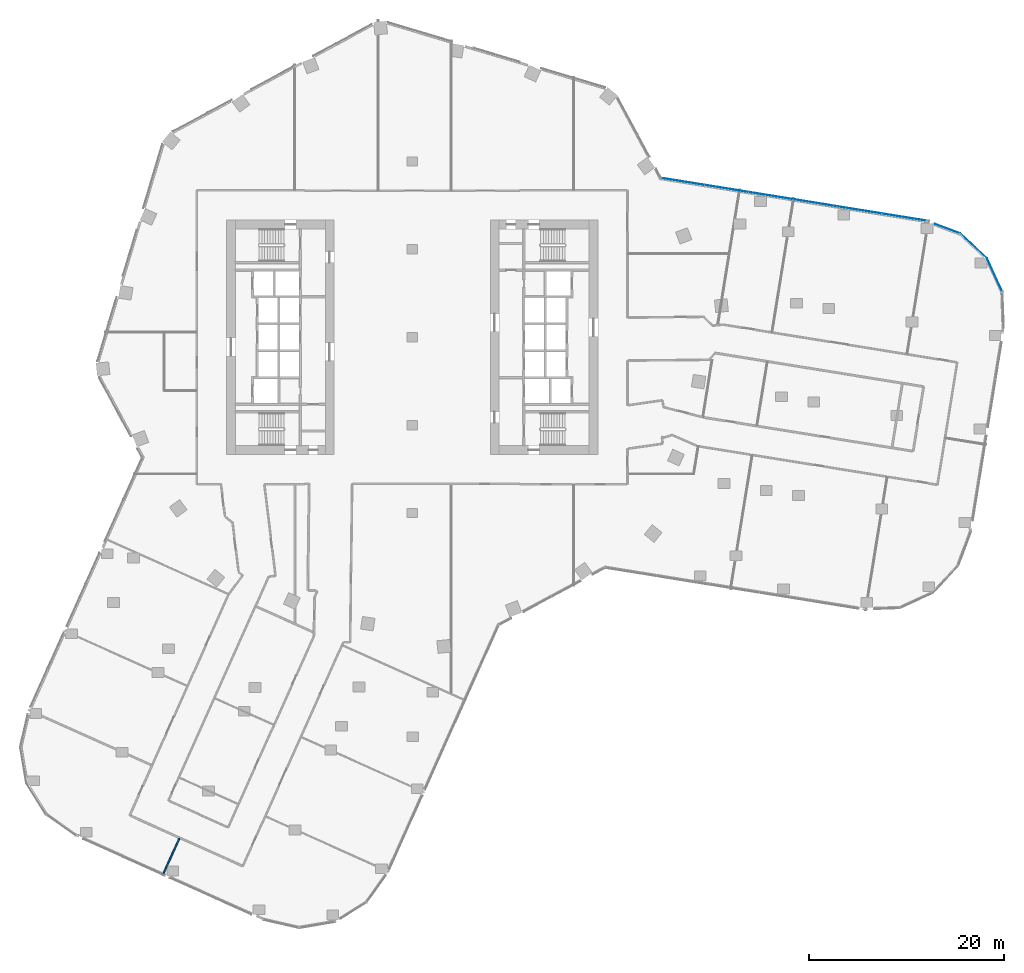
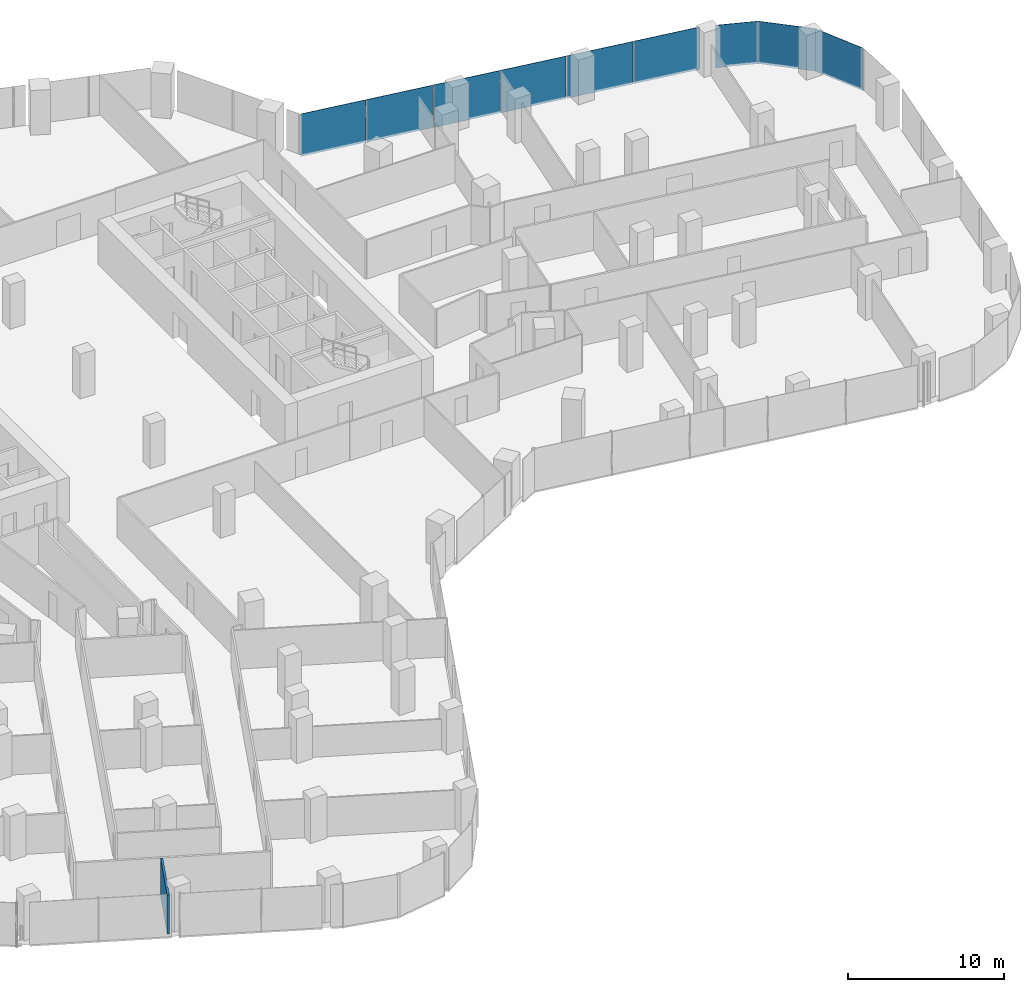
# One storey, part 24 of 34: 9 plates, 1 wall, 4 elements without a shape of their own.
"""IFC4 building model written with IfcOpenShell, lengths in metres."""

from ifc_helpers import new_model, si_unit, direction, frame, frame_2d, origin, origin_2d, place, context, subcontext, project, spatial, rectangle, extrude, material, layer, layer_set, type_object, element, aggregate, save


model = new_model("IFC4")

# Units and contexts
model_context = context("Model", 3, precision=1e-05, world=origin(), true_north=direction((0.0, 1.0)))
body_context = subcontext(model_context, "Body", "Model", "MODEL_VIEW")
ifc_project = project(units=[si_unit("LENGTHUNIT", "METRE"), si_unit("AREAUNIT", "SQUARE_METRE"), si_unit("VOLUMEUNIT", "CUBIC_METRE"), si_unit("PLANEANGLEUNIT", "RADIAN"), si_unit("MASSUNIT", "GRAM", prefix="KILO")], contexts=[model_context])

# Site, building, storey
site_placement = place(None, origin())
site = spatial("IfcSite", under=ifc_project, at=site_placement, CompositionType="ELEMENT")
building_placement = place(site_placement, origin())
building = spatial("IfcBuilding", under=site, at=building_placement, Name="Orlundy Tower", CompositionType="ELEMENT")
storey_placement = place(building_placement, frame((0.0, 0.0, 134.199951171875)))
storey = spatial("IfcBuildingStorey", under=building, at=storey_placement, Name="L34", CompositionType="ELEMENT", Elevation=134.199951171875)

# Curtain wall, plates
ifc_material_1 = material(Name="Aluminium bronze anodised", Category="aluminium")
curtain_wall_type = type_object("IfcCurtainWallType", Name="CW1 wall", PredefinedType="NOTDEFINED", material=ifc_material_1)
curtain_wall_1_placement = place(storey_placement, origin())
curtain_wall_1 = element("IfcCurtainWall", 1, at=curtain_wall_1_placement, inside=storey, type_object=curtain_wall_type, Name="CW1 run 06", PredefinedType="NOTDEFINED")
ifc_material_2 = material(Name="Tinted glass", Category="glass")
ifc_layer_1 = layer(ifc_material_2, 0.031982421875)
ifc_layer_set_1 = layer_set([ifc_layer_1], Name="CW1 glass panel 32")
plate_type = type_object("IfcPlateType", Name="CW1 glass panel 32", PredefinedType="CURTAIN_PANEL", material=ifc_layer_set_1)
plate_1_placement = place(storey_placement, frame((27.685791015625, 15.95703125, -0.280029296875), z_axis=(0.0, 0.0, 1.0), x_axis=(0.987229883184, -0.159302095871, 0.0)))
plate_1 = element("IfcPlate", 2, at=plate_1_placement, type_object=plate_type, Name="CW1 panel", PredefinedType="CURTAIN_PANEL", context=body_context, shape_type="SweptSolid", body=[
    extrude(rectangle(XDim=4.48291015625, YDim=0.031982421875, at=origin_2d()), origin(), (0.0, 0.0, 1.0), 3.330078125),
])
plate_2_placement = place(storey_placement, frame((32.1884765625, 15.23046875, -0.280029296875), z_axis=(0.0, 0.0, 1.0), x_axis=(0.987229883184, -0.159302095871, 0.0)))
plate_2 = element("IfcPlate", 3, at=plate_2_placement, type_object=plate_type, Name="CW1 panel", PredefinedType="CURTAIN_PANEL", context=body_context, shape_type="SweptSolid", body=[
    extrude(rectangle(XDim=4.538818359375, YDim=0.031982421875, at=origin_2d()), origin(), (0.0, 0.0, 1.0), 3.330078125),
])
plate_3_placement = place(storey_placement, frame((36.718505859375, 14.49951171875, -0.280029296875), z_axis=(0.0, 0.0, 1.0), x_axis=(0.987229883184, -0.159302095871, 0.0)))
plate_3 = element("IfcPlate", 4, at=plate_3_placement, type_object=plate_type, Name="CW1 panel", PredefinedType="CURTAIN_PANEL", context=body_context, shape_type="SweptSolid", body=[
    extrude(rectangle(XDim=4.538818359375, YDim=0.031982421875, at=origin_2d()), origin(), (0.0, 0.0, 1.0), 3.330078125),
])
plate_4_placement = place(storey_placement, frame((41.248779296875, 13.768310546875, -0.280029296875), z_axis=(0.0, 0.0, 1.0), x_axis=(0.987229883184, -0.159302095871, 0.0)))
plate_4 = element("IfcPlate", 5, at=plate_4_placement, type_object=plate_type, Name="CW1 panel", PredefinedType="CURTAIN_PANEL", context=body_context, shape_type="SweptSolid", body=[
    extrude(rectangle(XDim=4.538818359375, YDim=0.031982421875, at=origin_2d()), origin(), (0.0, 0.0, 1.0), 3.330078125),
])
plate_5_placement = place(storey_placement, frame((45.77880859375, 13.037353515625, -0.280029296875), z_axis=(0.0, 0.0, 1.0), x_axis=(0.987229883184, -0.159302095871, 0.0)))
plate_5 = element("IfcPlate", 6, at=plate_5_placement, type_object=plate_type, Name="CW1 panel", PredefinedType="CURTAIN_PANEL", context=body_context, shape_type="SweptSolid", body=[
    extrude(rectangle(XDim=4.538818359375, YDim=0.031982421875, at=origin_2d()), origin(), (0.0, 0.0, 1.0), 3.330078125),
])
plate_6_placement = place(storey_placement, frame((50.31689453125, 12.30517578125, -0.280029296875), z_axis=(0.0, 0.0, 1.0), x_axis=(0.987229883184, -0.159302095871, 0.0)))
plate_6 = element("IfcPlate", 7, at=plate_6_placement, type_object=plate_type, Name="CW1 panel", PredefinedType="CURTAIN_PANEL", context=body_context, shape_type="SweptSolid", body=[
    extrude(rectangle(XDim=4.5546875, YDim=0.031982421875, at=origin_2d()), origin(), (0.0, 0.0, 1.0), 3.330078125),
])
aggregate(curtain_wall_1, [plate_1, plate_2, plate_3, plate_4, plate_5, plate_6])

# Curtain wall, plate
curtain_wall_2_placement = place(storey_placement, origin())
curtain_wall_2 = element("IfcCurtainWall", 8, at=curtain_wall_2_placement, inside=storey, type_object=curtain_wall_type, Name="CW1 run 07", PredefinedType="NOTDEFINED")
plate_7_placement = place(storey_placement, frame((54.81201171875, 11.111083984375, -0.280029296875), z_axis=(0.0, 0.0, 1.0), x_axis=(0.937158252964, -0.348904584236, 0.0)))
plate_7 = element("IfcPlate", 9, at=plate_7_placement, type_object=plate_type, Name="CW1 panel", PredefinedType="CURTAIN_PANEL", context=body_context, shape_type="SweptSolid", body=[
    extrude(rectangle(XDim=2.767822265625, YDim=0.031982421875, at=origin_2d()), origin(), (0.0, 0.0, 1.0), 3.330078125),
])
aggregate(curtain_wall_2, [plate_7])

curtain_wall_3_placement = place(storey_placement, origin())
curtain_wall_3 = element("IfcCurtainWall", 10, at=curtain_wall_3_placement, inside=storey, type_object=curtain_wall_type, Name="CW1 run 08", PredefinedType="NOTDEFINED")
plate_8_placement = place(storey_placement, frame((57.490234375, 9.343994140625, -0.280029296875), z_axis=(0.0, 0.0, 1.0), x_axis=(0.732399444763, -0.680875211262, 0.0)))
plate_8 = element("IfcPlate", 11, at=plate_8_placement, type_object=plate_type, Name="CW1 panel", PredefinedType="CURTAIN_PANEL", context=body_context, shape_type="SweptSolid", body=[
    extrude(rectangle(XDim=3.772216796875, YDim=0.031982421875, at=origin_2d()), origin(), (0.0, 0.0, 1.0), 3.330078125),
])
aggregate(curtain_wall_3, [plate_8])

curtain_wall_4_placement = place(storey_placement, origin())
curtain_wall_4 = element("IfcCurtainWall", 12, at=curtain_wall_4_placement, inside=storey, type_object=curtain_wall_type, Name="CW1 run 09", PredefinedType="NOTDEFINED")
plate_9_placement = place(storey_placement, frame((59.65625, 6.3447265625, -0.280029296875), z_axis=(0.0, 0.0, 1.0), x_axis=(0.415976507053, -0.909375360113, 0.0)))
plate_9 = element("IfcPlate", 13, at=plate_9_placement, type_object=plate_type, Name="CW1 panel", PredefinedType="CURTAIN_PANEL", context=body_context, shape_type="SweptSolid", body=[
    extrude(rectangle(XDim=3.772216796875, YDim=0.031982421875, at=origin_2d()), origin(), (0.0, 0.0, 1.0), 3.330078125),
])
aggregate(curtain_wall_4, [plate_9])

# Wall
ifc_material_3 = material(Name="Blockwork shaft wall", Category="masonry")
ifc_layer_2 = layer(ifc_material_3, 0.14990234375)
ifc_layer_set_2 = layer_set([ifc_layer_2], Name="Floor shaft wall 150")
wall_type = type_object("IfcWallType", Name="Floor shaft wall 150", PredefinedType="PARTITIONING", material=ifc_layer_set_2)
wall_placement = place(storey_placement, frame((-25.554931640625, -55.118896484375, 0.0), z_axis=(0.0, 0.0, 1.0), x_axis=(0.409369884525, 0.912368509783, 0.0)))
element("IfcWall", 14, at=wall_placement, inside=storey, type_object=wall_type, Name="wall-int-L34-056", PredefinedType="PARTITIONING", context=body_context, shape_type="SweptSolid", body=[
    extrude(rectangle(XDim=4.174560546875, YDim=0.14990234375, at=frame_2d((2.08740234375, 0.0))), origin(), (0.0, 0.0, 1.0), 3.030029296875),
])

save(model, "model.ifc")
